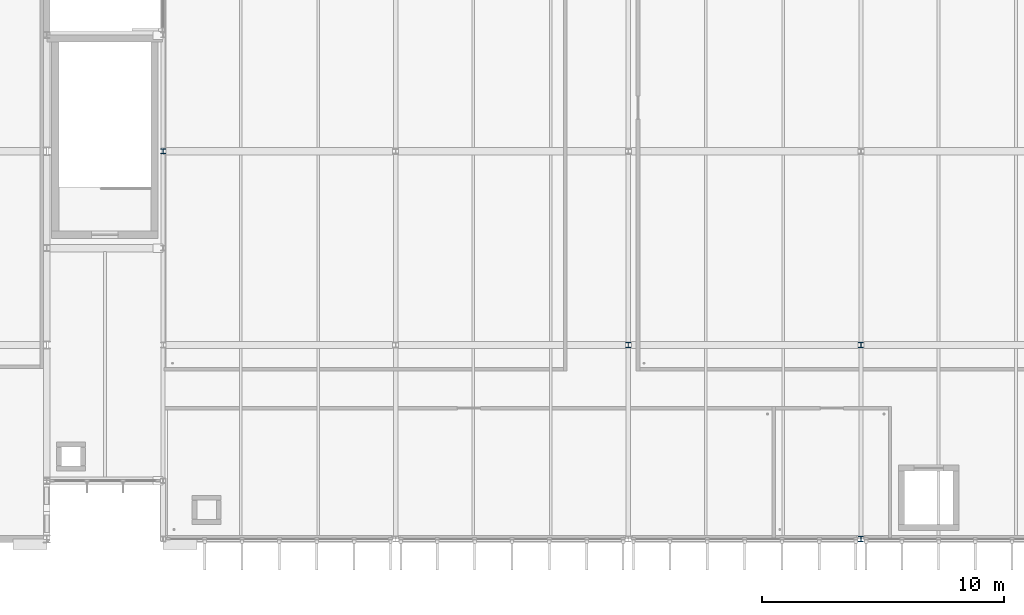
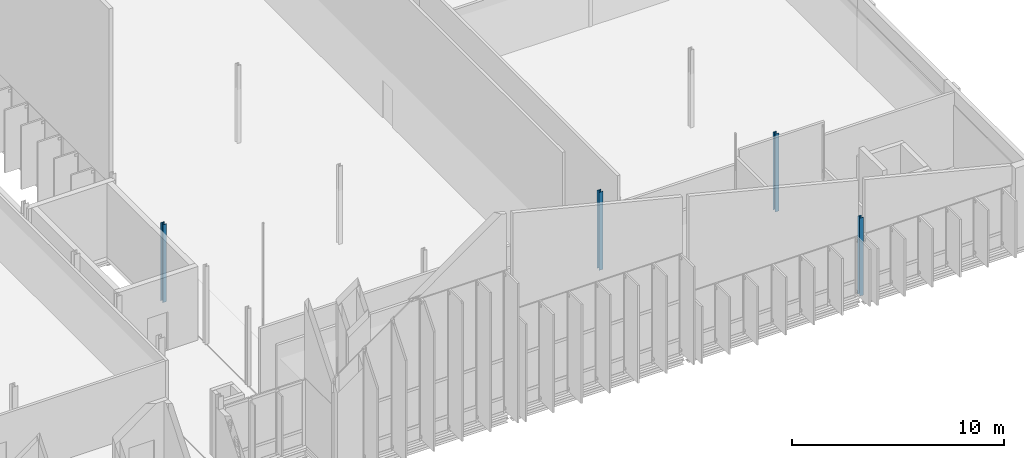
# One storey, part 13 of 110: 4 columns.
"""IFC4 building model written with IfcOpenShell, lengths in metres."""

from ifc_helpers import new_model, si_unit, direction, frame, origin, origin_2d, place, context, subcontext, project, spatial, i_section, extrude, material, material_profile, profile_set, type_object, element, save


model = new_model("IFC4")

# Units and contexts
model_context = context("Model", 3, precision=1e-05, world=origin(), true_north=direction((0.0, 1.0)))
body_context = subcontext(model_context, "Body", "Model", "MODEL_VIEW")
ifc_project = project(units=[si_unit("LENGTHUNIT", "METRE"), si_unit("AREAUNIT", "SQUARE_METRE"), si_unit("VOLUMEUNIT", "CUBIC_METRE"), si_unit("PLANEANGLEUNIT", "RADIAN"), si_unit("MASSUNIT", "GRAM", prefix="KILO")], contexts=[model_context])

# Site, building, storey
site_placement = place(None, origin())
site = spatial("IfcSite", under=ifc_project, at=site_placement, CompositionType="ELEMENT")
building_placement = place(site_placement, origin())
building = spatial("IfcBuilding", under=site, at=building_placement, Name="Dunescarp Central Library", CompositionType="ELEMENT")
storey_placement = place(building_placement, frame((0.0, 0.0, 9.60009765625)))
storey = spatial("IfcBuildingStorey", under=building, at=storey_placement, Name="L02", CompositionType="ELEMENT", Elevation=9.60009765625)

# Columns
ifc_material = material(Name="Steel S355JR", Category="steel")
ifc_material_profile = material_profile(ifc_material, i_section(OverallWidth=0.206298828125, OverallDepth=0.2158203125, WebThickness=0.010009765625, FlangeThickness=0.017333984375, at=origin_2d()), Name="UC 203x203x71")
ifc_profile_set = profile_set([ifc_material_profile], Name="Steel S355JR")
column_type = type_object("IfcColumnType", Name="STR-COL-UC203X71", PredefinedType="COLUMN", material=ifc_profile_set)
for number, where, z_axis, x_axis, name in (
    (1, (129.60009765625, 20.800048828125, 0.0), (0.0, 0.0, 1.0), (1.0, 0.0, 0.0), "L02 column V5-1296-208"),
    (2, (148.800048828125, 12.800048828125, 0.0), (0.0, 0.0, 1.0), (1.0, 0.0, 0.0), "L02 column V5-1488-128"),
    (3, (158.39990234375, 4.800048828125, 0.0), (0.0, 0.0, 1.0), (1.0, 0.0, 0.0), "L02 column V5-1584-48"),
    (4, (158.39990234375, 12.800048828125, 0.0), (0.0, 0.0, 1.0), (1.0, 0.0, 0.0), "L02 column V5-1584-128"),
):
    element("IfcColumn", number, at=place(storey_placement, frame(where, z_axis=z_axis, x_axis=x_axis)), inside=storey, type_object=column_type, Name=name, PredefinedType="COLUMN", context=body_context, shape_type="SweptSolid", body=[
        extrude(i_section(OverallWidth=0.206298828125, OverallDepth=0.2158203125, WebThickness=0.010009765625, FlangeThickness=0.017333984375, at=origin_2d()), origin(), (0.0, 0.0, 1.0), 4.5),
    ])

save(model, "model.ifc")
